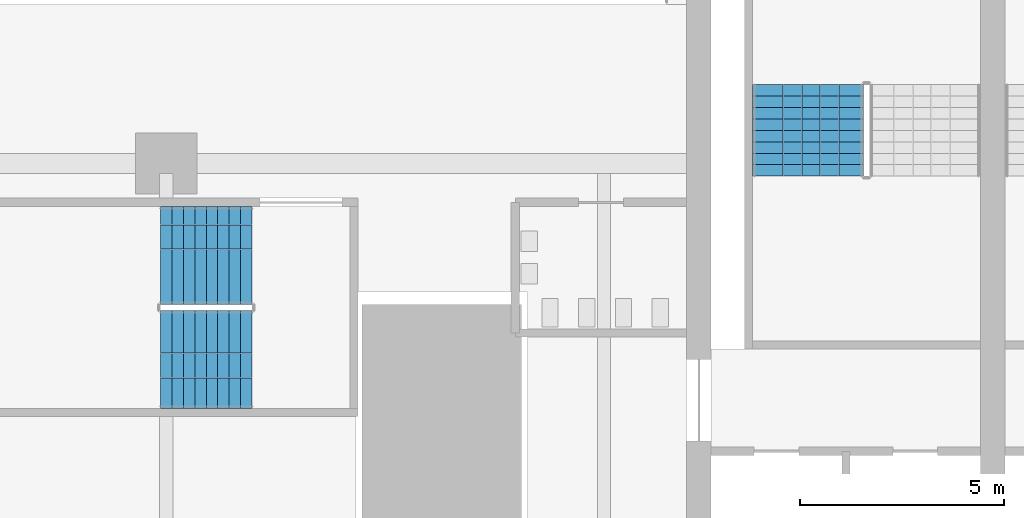
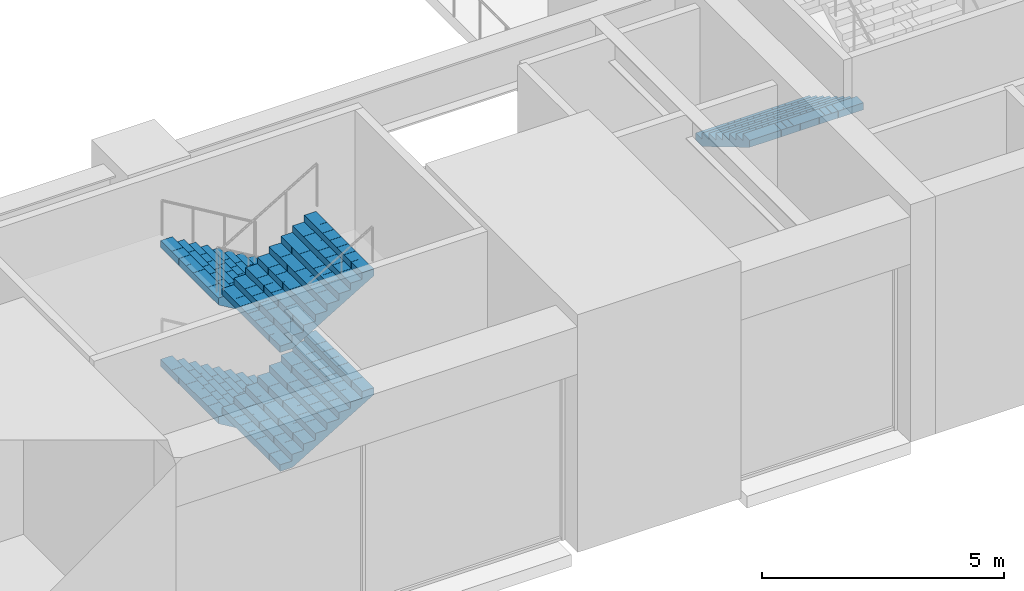
# One storey, part 23 of 41: 5 stair flights, 2 elements without a shape of their own.
"""IFC4 building model written with IfcOpenShell, lengths in metres."""

from ifc_helpers import new_model, si_unit, direction, frame, origin, place, context, subcontext, project, spatial, polyline, outline, extrude, material, type_object, element, aggregate, save


model = new_model("IFC4")

# Units and contexts
model_context = context("Model", 3, precision=1e-05, world=origin(), true_north=direction((0.0, 1.0)))
body_context = subcontext(model_context, "Body", "Model", "MODEL_VIEW")
ifc_project = project(units=[si_unit("LENGTHUNIT", "METRE"), si_unit("AREAUNIT", "SQUARE_METRE"), si_unit("VOLUMEUNIT", "CUBIC_METRE"), si_unit("PLANEANGLEUNIT", "RADIAN"), si_unit("MASSUNIT", "GRAM", prefix="KILO")], contexts=[model_context])

# Site, building, storey
site_placement = place(None, origin())
site = spatial("IfcSite", under=ifc_project, at=site_placement, CompositionType="ELEMENT")
building_placement = place(site_placement, origin())
building = spatial("IfcBuilding", under=site, at=building_placement, Name="Corbelhall Arena Tower", CompositionType="ELEMENT")
storey_placement = place(building_placement, frame((0.0, 0.0, 19.0)))
storey = spatial("IfcBuildingStorey", under=building, at=storey_placement, Name="L02", CompositionType="ELEMENT", Elevation=19.0)

# Stair, stair flights
ifc_material = material(Name="Reinforced concrete C40/50", Category="concrete")
stair_type = type_object("IfcStairType", Name="AR-EXIT-STAIR", PredefinedType="HALF_TURN_STAIR", material=ifc_material)
stair_1_placement = place(storey_placement, origin())
stair_1 = element("IfcStair", 1, at=stair_1_placement, inside=storey, type_object=stair_type, Name="L02 exit stair AS16", PredefinedType="HALF_TURN_STAIR")
stair_flight_type = type_object("IfcStairFlightType", Name="AR-EXIT-FLIGHT", PredefinedType="STRAIGHT", material=ifc_material)
stair_flight_1_placement = place(storey_placement, frame((22.35009765625, -31.5, 0.0), z_axis=(0.0, 0.0, 1.0), x_axis=(-1.0, 0.0, 0.0)))
stair_flight_1 = element("IfcStairFlight", 2, at=stair_flight_1_placement, type_object=stair_flight_type, Name="AS16 flight 1", NumberOfRisers=9, NumberOfTreads=8, PredefinedType="STRAIGHT", RiserHeight=0.166666667, TreadLength=0.28, context=body_context, shape_type="SweptSolid", body=[
    extrude(outline(polyline([(0.0, 0.0), (0.0, 0.166748046875), (0.280029296875, 0.166748046875), (0.280029296875, 0.333251953125), (0.56005859375, 0.333251953125), (0.56005859375, 0.5), (0.840087890625, 0.5), (0.840087890625, 0.666748046875), (1.1201171875, 0.666748046875), (1.1201171875, 0.833251953125), (1.39990234375, 0.833251953125), (1.39990234375, 1.0), (1.679931640625, 1.0), (1.679931640625, 1.166748046875), (1.9599609375, 1.166748046875), (1.9599609375, 1.333251953125), (2.239990234375, 1.333251953125), (2.239990234375, 1.5), (2.239990234375, 1.158935546875), (0.29296875, 0.0), (0.0, 0.0)])), frame((0.0, 1.199951171875, 0.0), z_axis=(0.0, -1.0, 0.0), x_axis=(1.0, 0.0, 0.0)), (0.0, 0.0, 1.0), 0.449951171875),
    extrude(outline(polyline([(0.0, 0.0), (0.0, 0.166748046875), (0.280029296875, 0.166748046875), (0.280029296875, 0.333251953125), (0.56005859375, 0.333251953125), (0.56005859375, 0.5), (0.840087890625, 0.5), (0.840087890625, 0.666748046875), (1.1201171875, 0.666748046875), (1.1201171875, 0.833251953125), (1.39990234375, 0.833251953125), (1.39990234375, 1.0), (1.679931640625, 1.0), (1.679931640625, 1.166748046875), (1.9599609375, 1.166748046875), (1.9599609375, 1.333251953125), (2.239990234375, 1.333251953125), (2.239990234375, 1.5), (2.239990234375, 1.158935546875), (0.29296875, 0.0), (0.0, 0.0)])), frame((0.0, 0.745849609375, 0.0), z_axis=(0.0, -1.0, 0.0), x_axis=(1.0, 0.0, 0.0)), (0.0, 0.0, 1.0), 0.295166015625),
    extrude(outline(polyline([(0.0, 0.0), (0.0, 0.166748046875), (0.280029296875, 0.166748046875), (0.280029296875, 0.333251953125), (0.56005859375, 0.333251953125), (0.56005859375, 0.5), (0.840087890625, 0.5), (0.840087890625, 0.666748046875), (1.1201171875, 0.666748046875), (1.1201171875, 0.833251953125), (1.39990234375, 0.833251953125), (1.39990234375, 1.0), (1.679931640625, 1.0), (1.679931640625, 1.166748046875), (1.9599609375, 1.166748046875), (1.9599609375, 1.333251953125), (2.239990234375, 1.333251953125), (2.239990234375, 1.5), (2.239990234375, 1.158935546875), (0.29296875, 0.0), (0.0, 0.0)])), frame((0.0, 0.44677734375, 0.0), z_axis=(0.0, -1.0, 0.0), x_axis=(1.0, 0.0, 0.0)), (0.0, 0.0, 1.0), 0.295166015625),
    extrude(outline(polyline([(0.0, 0.0), (0.0, 0.166748046875), (0.280029296875, 0.166748046875), (0.280029296875, 0.333251953125), (0.56005859375, 0.333251953125), (0.56005859375, 0.5), (0.840087890625, 0.5), (0.840087890625, 0.666748046875), (1.1201171875, 0.666748046875), (1.1201171875, 0.833251953125), (1.39990234375, 0.833251953125), (1.39990234375, 1.0), (1.679931640625, 1.0), (1.679931640625, 1.166748046875), (1.9599609375, 1.166748046875), (1.9599609375, 1.333251953125), (2.239990234375, 1.333251953125), (2.239990234375, 1.5), (2.239990234375, 1.158935546875), (0.29296875, 0.0), (0.0, 0.0)])), frame((0.0, 0.147705078125, 0.0), z_axis=(0.0, -1.0, 0.0), x_axis=(1.0, 0.0, 0.0)), (0.0, 0.0, 1.0), 0.295166015625),
    extrude(outline(polyline([(0.0, 0.0), (0.0, 0.166748046875), (0.280029296875, 0.166748046875), (0.280029296875, 0.333251953125), (0.56005859375, 0.333251953125), (0.56005859375, 0.5), (0.840087890625, 0.5), (0.840087890625, 0.666748046875), (1.1201171875, 0.666748046875), (1.1201171875, 0.833251953125), (1.39990234375, 0.833251953125), (1.39990234375, 1.0), (1.679931640625, 1.0), (1.679931640625, 1.166748046875), (1.9599609375, 1.166748046875), (1.9599609375, 1.333251953125), (2.239990234375, 1.333251953125), (2.239990234375, 1.5), (2.239990234375, 1.158935546875), (0.29296875, 0.0), (0.0, 0.0)])), frame((0.0, -0.151611328125, 0.0), z_axis=(0.0, -1.0, 0.0), x_axis=(1.0, 0.0, 0.0)), (0.0, 0.0, 1.0), 0.295166015625),
    extrude(outline(polyline([(0.0, 0.0), (0.0, 0.166748046875), (0.280029296875, 0.166748046875), (0.280029296875, 0.333251953125), (0.56005859375, 0.333251953125), (0.56005859375, 0.5), (0.840087890625, 0.5), (0.840087890625, 0.666748046875), (1.1201171875, 0.666748046875), (1.1201171875, 0.833251953125), (1.39990234375, 0.833251953125), (1.39990234375, 1.0), (1.679931640625, 1.0), (1.679931640625, 1.166748046875), (1.9599609375, 1.166748046875), (1.9599609375, 1.333251953125), (2.239990234375, 1.333251953125), (2.239990234375, 1.5), (2.239990234375, 1.158935546875), (0.29296875, 0.0), (0.0, 0.0)])), frame((0.0, -0.45068359375, 0.0), z_axis=(0.0, -1.0, 0.0), x_axis=(1.0, 0.0, 0.0)), (0.0, 0.0, 1.0), 0.295166015625),
    extrude(outline(polyline([(0.0, 0.0), (0.0, 0.166748046875), (0.280029296875, 0.166748046875), (0.280029296875, 0.333251953125), (0.56005859375, 0.333251953125), (0.56005859375, 0.5), (0.840087890625, 0.5), (0.840087890625, 0.666748046875), (1.1201171875, 0.666748046875), (1.1201171875, 0.833251953125), (1.39990234375, 0.833251953125), (1.39990234375, 1.0), (1.679931640625, 1.0), (1.679931640625, 1.166748046875), (1.9599609375, 1.166748046875), (1.9599609375, 1.333251953125), (2.239990234375, 1.333251953125), (2.239990234375, 1.5), (2.239990234375, 1.158935546875), (0.29296875, 0.0), (0.0, 0.0)])), frame((0.0, -0.75, 0.0), z_axis=(0.0, -1.0, 0.0), x_axis=(1.0, 0.0, 0.0)), (0.0, 0.0, 1.0), 0.449951171875),
])
stair_flight_2_placement = place(storey_placement, frame((20.110107421875, -34.050048828125, 1.5), z_axis=(0.0, 0.0, 1.0), x_axis=(1.0, 0.0, 0.0)))
stair_flight_2 = element("IfcStairFlight", 3, at=stair_flight_2_placement, type_object=stair_flight_type, Name="AS16 flight 2", NumberOfRisers=9, NumberOfTreads=8, PredefinedType="STRAIGHT", RiserHeight=0.166666667, TreadLength=0.28, context=body_context, shape_type="SweptSolid", body=[
    extrude(outline(polyline([(0.0, 0.0), (0.0, 0.166748046875), (0.280029296875, 0.166748046875), (0.280029296875, 0.333251953125), (0.56005859375, 0.333251953125), (0.56005859375, 0.5), (0.840087890625, 0.5), (0.840087890625, 0.666748046875), (1.1201171875, 0.666748046875), (1.1201171875, 0.833251953125), (1.39990234375, 0.833251953125), (1.39990234375, 1.0), (1.679931640625, 1.0), (1.679931640625, 1.166748046875), (1.9599609375, 1.166748046875), (1.9599609375, 1.333251953125), (2.239990234375, 1.333251953125), (2.239990234375, 1.5), (2.239990234375, 1.158935546875), (0.29296875, 0.0), (0.0, 0.0)])), frame((0.0, 1.199951171875, 0.0), z_axis=(0.0, -1.0, 0.0), x_axis=(1.0, 0.0, 0.0)), (0.0, 0.0, 1.0), 0.449951171875),
    extrude(outline(polyline([(0.0, 0.0), (0.0, 0.166748046875), (0.280029296875, 0.166748046875), (0.280029296875, 0.333251953125), (0.56005859375, 0.333251953125), (0.56005859375, 0.5), (0.840087890625, 0.5), (0.840087890625, 0.666748046875), (1.1201171875, 0.666748046875), (1.1201171875, 0.833251953125), (1.39990234375, 0.833251953125), (1.39990234375, 1.0), (1.679931640625, 1.0), (1.679931640625, 1.166748046875), (1.9599609375, 1.166748046875), (1.9599609375, 1.333251953125), (2.239990234375, 1.333251953125), (2.239990234375, 1.5), (2.239990234375, 1.158935546875), (0.29296875, 0.0), (0.0, 0.0)])), frame((0.0, 0.745849609375, 0.0), z_axis=(0.0, -1.0, 0.0), x_axis=(1.0, 0.0, 0.0)), (0.0, 0.0, 1.0), 0.295166015625),
    extrude(outline(polyline([(0.0, 0.0), (0.0, 0.166748046875), (0.280029296875, 0.166748046875), (0.280029296875, 0.333251953125), (0.56005859375, 0.333251953125), (0.56005859375, 0.5), (0.840087890625, 0.5), (0.840087890625, 0.666748046875), (1.1201171875, 0.666748046875), (1.1201171875, 0.833251953125), (1.39990234375, 0.833251953125), (1.39990234375, 1.0), (1.679931640625, 1.0), (1.679931640625, 1.166748046875), (1.9599609375, 1.166748046875), (1.9599609375, 1.333251953125), (2.239990234375, 1.333251953125), (2.239990234375, 1.5), (2.239990234375, 1.158935546875), (0.29296875, 0.0), (0.0, 0.0)])), frame((0.0, 0.44677734375, 0.0), z_axis=(0.0, -1.0, 0.0), x_axis=(1.0, 0.0, 0.0)), (0.0, 0.0, 1.0), 0.295166015625),
    extrude(outline(polyline([(0.0, 0.0), (0.0, 0.166748046875), (0.280029296875, 0.166748046875), (0.280029296875, 0.333251953125), (0.56005859375, 0.333251953125), (0.56005859375, 0.5), (0.840087890625, 0.5), (0.840087890625, 0.666748046875), (1.1201171875, 0.666748046875), (1.1201171875, 0.833251953125), (1.39990234375, 0.833251953125), (1.39990234375, 1.0), (1.679931640625, 1.0), (1.679931640625, 1.166748046875), (1.9599609375, 1.166748046875), (1.9599609375, 1.333251953125), (2.239990234375, 1.333251953125), (2.239990234375, 1.5), (2.239990234375, 1.158935546875), (0.29296875, 0.0), (0.0, 0.0)])), frame((0.0, 0.147705078125, 0.0), z_axis=(0.0, -1.0, 0.0), x_axis=(1.0, 0.0, 0.0)), (0.0, 0.0, 1.0), 0.295166015625),
    extrude(outline(polyline([(0.0, 0.0), (0.0, 0.166748046875), (0.280029296875, 0.166748046875), (0.280029296875, 0.333251953125), (0.56005859375, 0.333251953125), (0.56005859375, 0.5), (0.840087890625, 0.5), (0.840087890625, 0.666748046875), (1.1201171875, 0.666748046875), (1.1201171875, 0.833251953125), (1.39990234375, 0.833251953125), (1.39990234375, 1.0), (1.679931640625, 1.0), (1.679931640625, 1.166748046875), (1.9599609375, 1.166748046875), (1.9599609375, 1.333251953125), (2.239990234375, 1.333251953125), (2.239990234375, 1.5), (2.239990234375, 1.158935546875), (0.29296875, 0.0), (0.0, 0.0)])), frame((0.0, -0.151611328125, 0.0), z_axis=(0.0, -1.0, 0.0), x_axis=(1.0, 0.0, 0.0)), (0.0, 0.0, 1.0), 0.295166015625),
    extrude(outline(polyline([(0.0, 0.0), (0.0, 0.166748046875), (0.280029296875, 0.166748046875), (0.280029296875, 0.333251953125), (0.56005859375, 0.333251953125), (0.56005859375, 0.5), (0.840087890625, 0.5), (0.840087890625, 0.666748046875), (1.1201171875, 0.666748046875), (1.1201171875, 0.833251953125), (1.39990234375, 0.833251953125), (1.39990234375, 1.0), (1.679931640625, 1.0), (1.679931640625, 1.166748046875), (1.9599609375, 1.166748046875), (1.9599609375, 1.333251953125), (2.239990234375, 1.333251953125), (2.239990234375, 1.5), (2.239990234375, 1.158935546875), (0.29296875, 0.0), (0.0, 0.0)])), frame((0.0, -0.45068359375, 0.0), z_axis=(0.0, -1.0, 0.0), x_axis=(1.0, 0.0, 0.0)), (0.0, 0.0, 1.0), 0.295166015625),
    extrude(outline(polyline([(0.0, 0.0), (0.0, 0.166748046875), (0.280029296875, 0.166748046875), (0.280029296875, 0.333251953125), (0.56005859375, 0.333251953125), (0.56005859375, 0.5), (0.840087890625, 0.5), (0.840087890625, 0.666748046875), (1.1201171875, 0.666748046875), (1.1201171875, 0.833251953125), (1.39990234375, 0.833251953125), (1.39990234375, 1.0), (1.679931640625, 1.0), (1.679931640625, 1.166748046875), (1.9599609375, 1.166748046875), (1.9599609375, 1.333251953125), (2.239990234375, 1.333251953125), (2.239990234375, 1.5), (2.239990234375, 1.158935546875), (0.29296875, 0.0), (0.0, 0.0)])), frame((0.0, -0.75, 0.0), z_axis=(0.0, -1.0, 0.0), x_axis=(1.0, 0.0, 0.0)), (0.0, 0.0, 1.0), 0.449951171875),
])
stair_flight_3_placement = place(storey_placement, frame((22.35009765625, -31.5, 3.0), z_axis=(0.0, 0.0, 1.0), x_axis=(-1.0, 0.0, 0.0)))
stair_flight_3 = element("IfcStairFlight", 4, at=stair_flight_3_placement, type_object=stair_flight_type, Name="AS16 flight 3", NumberOfRisers=9, NumberOfTreads=8, PredefinedType="STRAIGHT", RiserHeight=0.166666667, TreadLength=0.28, context=body_context, shape_type="SweptSolid", body=[
    extrude(outline(polyline([(0.0, 0.0), (0.0, 0.166748046875), (0.280029296875, 0.166748046875), (0.280029296875, 0.333251953125), (0.56005859375, 0.333251953125), (0.56005859375, 0.5), (0.840087890625, 0.5), (0.840087890625, 0.666748046875), (1.1201171875, 0.666748046875), (1.1201171875, 0.833251953125), (1.39990234375, 0.833251953125), (1.39990234375, 1.0), (1.679931640625, 1.0), (1.679931640625, 1.166748046875), (1.9599609375, 1.166748046875), (1.9599609375, 1.333251953125), (2.239990234375, 1.333251953125), (2.239990234375, 1.5), (2.239990234375, 1.158935546875), (0.29296875, 0.0), (0.0, 0.0)])), frame((0.0, 1.199951171875, 0.0), z_axis=(0.0, -1.0, 0.0), x_axis=(1.0, 0.0, 0.0)), (0.0, 0.0, 1.0), 0.449951171875),
    extrude(outline(polyline([(0.0, 0.0), (0.0, 0.166748046875), (0.280029296875, 0.166748046875), (0.280029296875, 0.333251953125), (0.56005859375, 0.333251953125), (0.56005859375, 0.5), (0.840087890625, 0.5), (0.840087890625, 0.666748046875), (1.1201171875, 0.666748046875), (1.1201171875, 0.833251953125), (1.39990234375, 0.833251953125), (1.39990234375, 1.0), (1.679931640625, 1.0), (1.679931640625, 1.166748046875), (1.9599609375, 1.166748046875), (1.9599609375, 1.333251953125), (2.239990234375, 1.333251953125), (2.239990234375, 1.5), (2.239990234375, 1.158935546875), (0.29296875, 0.0), (0.0, 0.0)])), frame((0.0, 0.745849609375, 0.0), z_axis=(0.0, -1.0, 0.0), x_axis=(1.0, 0.0, 0.0)), (0.0, 0.0, 1.0), 0.295166015625),
    extrude(outline(polyline([(0.0, 0.0), (0.0, 0.166748046875), (0.280029296875, 0.166748046875), (0.280029296875, 0.333251953125), (0.56005859375, 0.333251953125), (0.56005859375, 0.5), (0.840087890625, 0.5), (0.840087890625, 0.666748046875), (1.1201171875, 0.666748046875), (1.1201171875, 0.833251953125), (1.39990234375, 0.833251953125), (1.39990234375, 1.0), (1.679931640625, 1.0), (1.679931640625, 1.166748046875), (1.9599609375, 1.166748046875), (1.9599609375, 1.333251953125), (2.239990234375, 1.333251953125), (2.239990234375, 1.5), (2.239990234375, 1.158935546875), (0.29296875, 0.0), (0.0, 0.0)])), frame((0.0, 0.44677734375, 0.0), z_axis=(0.0, -1.0, 0.0), x_axis=(1.0, 0.0, 0.0)), (0.0, 0.0, 1.0), 0.295166015625),
    extrude(outline(polyline([(0.0, 0.0), (0.0, 0.166748046875), (0.280029296875, 0.166748046875), (0.280029296875, 0.333251953125), (0.56005859375, 0.333251953125), (0.56005859375, 0.5), (0.840087890625, 0.5), (0.840087890625, 0.666748046875), (1.1201171875, 0.666748046875), (1.1201171875, 0.833251953125), (1.39990234375, 0.833251953125), (1.39990234375, 1.0), (1.679931640625, 1.0), (1.679931640625, 1.166748046875), (1.9599609375, 1.166748046875), (1.9599609375, 1.333251953125), (2.239990234375, 1.333251953125), (2.239990234375, 1.5), (2.239990234375, 1.158935546875), (0.29296875, 0.0), (0.0, 0.0)])), frame((0.0, 0.147705078125, 0.0), z_axis=(0.0, -1.0, 0.0), x_axis=(1.0, 0.0, 0.0)), (0.0, 0.0, 1.0), 0.295166015625),
    extrude(outline(polyline([(0.0, 0.0), (0.0, 0.166748046875), (0.280029296875, 0.166748046875), (0.280029296875, 0.333251953125), (0.56005859375, 0.333251953125), (0.56005859375, 0.5), (0.840087890625, 0.5), (0.840087890625, 0.666748046875), (1.1201171875, 0.666748046875), (1.1201171875, 0.833251953125), (1.39990234375, 0.833251953125), (1.39990234375, 1.0), (1.679931640625, 1.0), (1.679931640625, 1.166748046875), (1.9599609375, 1.166748046875), (1.9599609375, 1.333251953125), (2.239990234375, 1.333251953125), (2.239990234375, 1.5), (2.239990234375, 1.158935546875), (0.29296875, 0.0), (0.0, 0.0)])), frame((0.0, -0.151611328125, 0.0), z_axis=(0.0, -1.0, 0.0), x_axis=(1.0, 0.0, 0.0)), (0.0, 0.0, 1.0), 0.295166015625),
    extrude(outline(polyline([(0.0, 0.0), (0.0, 0.166748046875), (0.280029296875, 0.166748046875), (0.280029296875, 0.333251953125), (0.56005859375, 0.333251953125), (0.56005859375, 0.5), (0.840087890625, 0.5), (0.840087890625, 0.666748046875), (1.1201171875, 0.666748046875), (1.1201171875, 0.833251953125), (1.39990234375, 0.833251953125), (1.39990234375, 1.0), (1.679931640625, 1.0), (1.679931640625, 1.166748046875), (1.9599609375, 1.166748046875), (1.9599609375, 1.333251953125), (2.239990234375, 1.333251953125), (2.239990234375, 1.5), (2.239990234375, 1.158935546875), (0.29296875, 0.0), (0.0, 0.0)])), frame((0.0, -0.45068359375, 0.0), z_axis=(0.0, -1.0, 0.0), x_axis=(1.0, 0.0, 0.0)), (0.0, 0.0, 1.0), 0.295166015625),
    extrude(outline(polyline([(0.0, 0.0), (0.0, 0.166748046875), (0.280029296875, 0.166748046875), (0.280029296875, 0.333251953125), (0.56005859375, 0.333251953125), (0.56005859375, 0.5), (0.840087890625, 0.5), (0.840087890625, 0.666748046875), (1.1201171875, 0.666748046875), (1.1201171875, 0.833251953125), (1.39990234375, 0.833251953125), (1.39990234375, 1.0), (1.679931640625, 1.0), (1.679931640625, 1.166748046875), (1.9599609375, 1.166748046875), (1.9599609375, 1.333251953125), (2.239990234375, 1.333251953125), (2.239990234375, 1.5), (2.239990234375, 1.158935546875), (0.29296875, 0.0), (0.0, 0.0)])), frame((0.0, -0.75, 0.0), z_axis=(0.0, -1.0, 0.0), x_axis=(1.0, 0.0, 0.0)), (0.0, 0.0, 1.0), 0.449951171875),
])
stair_flight_4_placement = place(storey_placement, frame((20.110107421875, -34.050048828125, 4.5), z_axis=(0.0, 0.0, 1.0), x_axis=(1.0, 0.0, 0.0)))
stair_flight_4 = element("IfcStairFlight", 5, at=stair_flight_4_placement, type_object=stair_flight_type, Name="AS16 flight 4", NumberOfRisers=9, NumberOfTreads=8, PredefinedType="STRAIGHT", RiserHeight=0.166666667, TreadLength=0.28, context=body_context, shape_type="SweptSolid", body=[
    extrude(outline(polyline([(0.0, 0.0), (0.0, 0.166748046875), (0.280029296875, 0.166748046875), (0.280029296875, 0.333251953125), (0.56005859375, 0.333251953125), (0.56005859375, 0.5), (0.840087890625, 0.5), (0.840087890625, 0.666748046875), (1.1201171875, 0.666748046875), (1.1201171875, 0.833251953125), (1.39990234375, 0.833251953125), (1.39990234375, 1.0), (1.679931640625, 1.0), (1.679931640625, 1.166748046875), (1.9599609375, 1.166748046875), (1.9599609375, 1.333251953125), (2.239990234375, 1.333251953125), (2.239990234375, 1.5), (2.239990234375, 1.158935546875), (0.29296875, 0.0), (0.0, 0.0)])), frame((0.0, 1.199951171875, 0.0), z_axis=(0.0, -1.0, 0.0), x_axis=(1.0, 0.0, 0.0)), (0.0, 0.0, 1.0), 0.449951171875),
    extrude(outline(polyline([(0.0, 0.0), (0.0, 0.166748046875), (0.280029296875, 0.166748046875), (0.280029296875, 0.333251953125), (0.56005859375, 0.333251953125), (0.56005859375, 0.5), (0.840087890625, 0.5), (0.840087890625, 0.666748046875), (1.1201171875, 0.666748046875), (1.1201171875, 0.833251953125), (1.39990234375, 0.833251953125), (1.39990234375, 1.0), (1.679931640625, 1.0), (1.679931640625, 1.166748046875), (1.9599609375, 1.166748046875), (1.9599609375, 1.333251953125), (2.239990234375, 1.333251953125), (2.239990234375, 1.5), (2.239990234375, 1.158935546875), (0.29296875, 0.0), (0.0, 0.0)])), frame((0.0, 0.745849609375, 0.0), z_axis=(0.0, -1.0, 0.0), x_axis=(1.0, 0.0, 0.0)), (0.0, 0.0, 1.0), 0.295166015625),
    extrude(outline(polyline([(0.0, 0.0), (0.0, 0.166748046875), (0.280029296875, 0.166748046875), (0.280029296875, 0.333251953125), (0.56005859375, 0.333251953125), (0.56005859375, 0.5), (0.840087890625, 0.5), (0.840087890625, 0.666748046875), (1.1201171875, 0.666748046875), (1.1201171875, 0.833251953125), (1.39990234375, 0.833251953125), (1.39990234375, 1.0), (1.679931640625, 1.0), (1.679931640625, 1.166748046875), (1.9599609375, 1.166748046875), (1.9599609375, 1.333251953125), (2.239990234375, 1.333251953125), (2.239990234375, 1.5), (2.239990234375, 1.158935546875), (0.29296875, 0.0), (0.0, 0.0)])), frame((0.0, 0.44677734375, 0.0), z_axis=(0.0, -1.0, 0.0), x_axis=(1.0, 0.0, 0.0)), (0.0, 0.0, 1.0), 0.295166015625),
    extrude(outline(polyline([(0.0, 0.0), (0.0, 0.166748046875), (0.280029296875, 0.166748046875), (0.280029296875, 0.333251953125), (0.56005859375, 0.333251953125), (0.56005859375, 0.5), (0.840087890625, 0.5), (0.840087890625, 0.666748046875), (1.1201171875, 0.666748046875), (1.1201171875, 0.833251953125), (1.39990234375, 0.833251953125), (1.39990234375, 1.0), (1.679931640625, 1.0), (1.679931640625, 1.166748046875), (1.9599609375, 1.166748046875), (1.9599609375, 1.333251953125), (2.239990234375, 1.333251953125), (2.239990234375, 1.5), (2.239990234375, 1.158935546875), (0.29296875, 0.0), (0.0, 0.0)])), frame((0.0, 0.147705078125, 0.0), z_axis=(0.0, -1.0, 0.0), x_axis=(1.0, 0.0, 0.0)), (0.0, 0.0, 1.0), 0.295166015625),
    extrude(outline(polyline([(0.0, 0.0), (0.0, 0.166748046875), (0.280029296875, 0.166748046875), (0.280029296875, 0.333251953125), (0.56005859375, 0.333251953125), (0.56005859375, 0.5), (0.840087890625, 0.5), (0.840087890625, 0.666748046875), (1.1201171875, 0.666748046875), (1.1201171875, 0.833251953125), (1.39990234375, 0.833251953125), (1.39990234375, 1.0), (1.679931640625, 1.0), (1.679931640625, 1.166748046875), (1.9599609375, 1.166748046875), (1.9599609375, 1.333251953125), (2.239990234375, 1.333251953125), (2.239990234375, 1.5), (2.239990234375, 1.158935546875), (0.29296875, 0.0), (0.0, 0.0)])), frame((0.0, -0.151611328125, 0.0), z_axis=(0.0, -1.0, 0.0), x_axis=(1.0, 0.0, 0.0)), (0.0, 0.0, 1.0), 0.295166015625),
    extrude(outline(polyline([(0.0, 0.0), (0.0, 0.166748046875), (0.280029296875, 0.166748046875), (0.280029296875, 0.333251953125), (0.56005859375, 0.333251953125), (0.56005859375, 0.5), (0.840087890625, 0.5), (0.840087890625, 0.666748046875), (1.1201171875, 0.666748046875), (1.1201171875, 0.833251953125), (1.39990234375, 0.833251953125), (1.39990234375, 1.0), (1.679931640625, 1.0), (1.679931640625, 1.166748046875), (1.9599609375, 1.166748046875), (1.9599609375, 1.333251953125), (2.239990234375, 1.333251953125), (2.239990234375, 1.5), (2.239990234375, 1.158935546875), (0.29296875, 0.0), (0.0, 0.0)])), frame((0.0, -0.45068359375, 0.0), z_axis=(0.0, -1.0, 0.0), x_axis=(1.0, 0.0, 0.0)), (0.0, 0.0, 1.0), 0.295166015625),
    extrude(outline(polyline([(0.0, 0.0), (0.0, 0.166748046875), (0.280029296875, 0.166748046875), (0.280029296875, 0.333251953125), (0.56005859375, 0.333251953125), (0.56005859375, 0.5), (0.840087890625, 0.5), (0.840087890625, 0.666748046875), (1.1201171875, 0.666748046875), (1.1201171875, 0.833251953125), (1.39990234375, 0.833251953125), (1.39990234375, 1.0), (1.679931640625, 1.0), (1.679931640625, 1.166748046875), (1.9599609375, 1.166748046875), (1.9599609375, 1.333251953125), (2.239990234375, 1.333251953125), (2.239990234375, 1.5), (2.239990234375, 1.158935546875), (0.29296875, 0.0), (0.0, 0.0)])), frame((0.0, -0.75, 0.0), z_axis=(0.0, -1.0, 0.0), x_axis=(1.0, 0.0, 0.0)), (0.0, 0.0, 1.0), 0.449951171875),
])
aggregate(stair_1, [stair_flight_1, stair_flight_2, stair_flight_3, stair_flight_4])

# Stair, stair flight
stair_2_placement = place(storey_placement, origin())
stair_2 = element("IfcStair", 6, at=stair_2_placement, inside=storey, type_object=stair_type, Name="L02 exit stair AS5", PredefinedType="HALF_TURN_STAIR")
stair_flight_5_placement = place(storey_placement, frame((35.969970703125, -27.320068359375, 0.0), z_axis=(0.0, 0.0, 1.0), x_axis=(0.0, -1.0, 0.0)))
stair_flight_5 = element("IfcStairFlight", 7, at=stair_flight_5_placement, type_object=stair_flight_type, Name="AS5 flight 1", NumberOfRisers=9, NumberOfTreads=8, PredefinedType="STRAIGHT", RiserHeight=0.166666667, TreadLength=0.28, context=body_context, shape_type="SweptSolid", body=[
    extrude(outline(polyline([(0.0, 0.0), (0.0, 0.166748046875), (0.280029296875, 0.166748046875), (0.280029296875, 0.333251953125), (0.56005859375, 0.333251953125), (0.56005859375, 0.5), (0.840087890625, 0.5), (0.840087890625, 0.666748046875), (1.1201171875, 0.666748046875), (1.1201171875, 0.833251953125), (1.39990234375, 0.833251953125), (1.39990234375, 1.0), (1.679931640625, 1.0), (1.679931640625, 1.166748046875), (1.9599609375, 1.166748046875), (1.9599609375, 1.333251953125), (2.239990234375, 1.333251953125), (2.239990234375, 1.5), (2.239990234375, 1.158935546875), (0.29296875, 0.0), (0.0, 0.0)])), frame((0.0, 1.35986328125, 0.0), z_axis=(0.0, -1.0, 0.0), x_axis=(1.0, 0.0, 0.0)), (0.0, 0.0, 1.0), 0.449951171875),
    extrude(outline(polyline([(0.0, 0.0), (0.0, 0.166748046875), (0.280029296875, 0.166748046875), (0.280029296875, 0.333251953125), (0.56005859375, 0.333251953125), (0.56005859375, 0.5), (0.840087890625, 0.5), (0.840087890625, 0.666748046875), (1.1201171875, 0.666748046875), (1.1201171875, 0.833251953125), (1.39990234375, 0.833251953125), (1.39990234375, 1.0), (1.679931640625, 1.0), (1.679931640625, 1.166748046875), (1.9599609375, 1.166748046875), (1.9599609375, 1.333251953125), (2.239990234375, 1.333251953125), (2.239990234375, 1.5), (2.239990234375, 1.158935546875), (0.29296875, 0.0), (0.0, 0.0)])), frame((0.0, 0.906005859375, 0.0), z_axis=(0.0, -1.0, 0.0), x_axis=(1.0, 0.0, 0.0)), (0.0, 0.0, 1.0), 0.147216796875),
    extrude(outline(polyline([(0.0, 0.0), (0.0, 0.166748046875), (0.280029296875, 0.166748046875), (0.280029296875, 0.333251953125), (0.56005859375, 0.333251953125), (0.56005859375, 0.5), (0.840087890625, 0.5), (0.840087890625, 0.666748046875), (1.1201171875, 0.666748046875), (1.1201171875, 0.833251953125), (1.39990234375, 0.833251953125), (1.39990234375, 1.0), (1.679931640625, 1.0), (1.679931640625, 1.166748046875), (1.9599609375, 1.166748046875), (1.9599609375, 1.333251953125), (2.239990234375, 1.333251953125), (2.239990234375, 1.5), (2.239990234375, 1.158935546875), (0.29296875, 0.0), (0.0, 0.0)])), frame((0.0, 0.754638671875, 0.0), z_axis=(0.0, -1.0, 0.0), x_axis=(1.0, 0.0, 0.0)), (0.0, 0.0, 1.0), 0.147216796875),
    extrude(outline(polyline([(0.0, 0.0), (0.0, 0.166748046875), (0.280029296875, 0.166748046875), (0.280029296875, 0.333251953125), (0.56005859375, 0.333251953125), (0.56005859375, 0.5), (0.840087890625, 0.5), (0.840087890625, 0.666748046875), (1.1201171875, 0.666748046875), (1.1201171875, 0.833251953125), (1.39990234375, 0.833251953125), (1.39990234375, 1.0), (1.679931640625, 1.0), (1.679931640625, 1.166748046875), (1.9599609375, 1.166748046875), (1.9599609375, 1.333251953125), (2.239990234375, 1.333251953125), (2.239990234375, 1.5), (2.239990234375, 1.158935546875), (0.29296875, 0.0), (0.0, 0.0)])), frame((0.0, 0.603271484375, 0.0), z_axis=(0.0, -1.0, 0.0), x_axis=(1.0, 0.0, 0.0)), (0.0, 0.0, 1.0), 0.147216796875),
    extrude(outline(polyline([(0.0, 0.0), (0.0, 0.166748046875), (0.280029296875, 0.166748046875), (0.280029296875, 0.333251953125), (0.56005859375, 0.333251953125), (0.56005859375, 0.5), (0.840087890625, 0.5), (0.840087890625, 0.666748046875), (1.1201171875, 0.666748046875), (1.1201171875, 0.833251953125), (1.39990234375, 0.833251953125), (1.39990234375, 1.0), (1.679931640625, 1.0), (1.679931640625, 1.166748046875), (1.9599609375, 1.166748046875), (1.9599609375, 1.333251953125), (2.239990234375, 1.333251953125), (2.239990234375, 1.5), (2.239990234375, 1.158935546875), (0.29296875, 0.0), (0.0, 0.0)])), frame((0.0, 0.451904296875, 0.0), z_axis=(0.0, -1.0, 0.0), x_axis=(1.0, 0.0, 0.0)), (0.0, 0.0, 1.0), 0.147216796875),
    extrude(outline(polyline([(0.0, 0.0), (0.0, 0.166748046875), (0.280029296875, 0.166748046875), (0.280029296875, 0.333251953125), (0.56005859375, 0.333251953125), (0.56005859375, 0.5), (0.840087890625, 0.5), (0.840087890625, 0.666748046875), (1.1201171875, 0.666748046875), (1.1201171875, 0.833251953125), (1.39990234375, 0.833251953125), (1.39990234375, 1.0), (1.679931640625, 1.0), (1.679931640625, 1.166748046875), (1.9599609375, 1.166748046875), (1.9599609375, 1.333251953125), (2.239990234375, 1.333251953125), (2.239990234375, 1.5), (2.239990234375, 1.158935546875), (0.29296875, 0.0), (0.0, 0.0)])), frame((0.0, 0.30078125, 0.0), z_axis=(0.0, -1.0, 0.0), x_axis=(1.0, 0.0, 0.0)), (0.0, 0.0, 1.0), 0.147216796875),
    extrude(outline(polyline([(0.0, 0.0), (0.0, 0.166748046875), (0.280029296875, 0.166748046875), (0.280029296875, 0.333251953125), (0.56005859375, 0.333251953125), (0.56005859375, 0.5), (0.840087890625, 0.5), (0.840087890625, 0.666748046875), (1.1201171875, 0.666748046875), (1.1201171875, 0.833251953125), (1.39990234375, 0.833251953125), (1.39990234375, 1.0), (1.679931640625, 1.0), (1.679931640625, 1.166748046875), (1.9599609375, 1.166748046875), (1.9599609375, 1.333251953125), (2.239990234375, 1.333251953125), (2.239990234375, 1.5), (2.239990234375, 1.158935546875), (0.29296875, 0.0), (0.0, 0.0)])), frame((0.0, 0.1494140625, 0.0), z_axis=(0.0, -1.0, 0.0), x_axis=(1.0, 0.0, 0.0)), (0.0, 0.0, 1.0), 0.147216796875),
    extrude(outline(polyline([(0.0, 0.0), (0.0, 0.166748046875), (0.280029296875, 0.166748046875), (0.280029296875, 0.333251953125), (0.56005859375, 0.333251953125), (0.56005859375, 0.5), (0.840087890625, 0.5), (0.840087890625, 0.666748046875), (1.1201171875, 0.666748046875), (1.1201171875, 0.833251953125), (1.39990234375, 0.833251953125), (1.39990234375, 1.0), (1.679931640625, 1.0), (1.679931640625, 1.166748046875), (1.9599609375, 1.166748046875), (1.9599609375, 1.333251953125), (2.239990234375, 1.333251953125), (2.239990234375, 1.5), (2.239990234375, 1.158935546875), (0.29296875, 0.0), (0.0, 0.0)])), frame((0.0, -0.001953125, 0.0), z_axis=(0.0, -1.0, 0.0), x_axis=(1.0, 0.0, 0.0)), (0.0, 0.0, 1.0), 0.147216796875),
    extrude(outline(polyline([(0.0, 0.0), (0.0, 0.166748046875), (0.280029296875, 0.166748046875), (0.280029296875, 0.333251953125), (0.56005859375, 0.333251953125), (0.56005859375, 0.5), (0.840087890625, 0.5), (0.840087890625, 0.666748046875), (1.1201171875, 0.666748046875), (1.1201171875, 0.833251953125), (1.39990234375, 0.833251953125), (1.39990234375, 1.0), (1.679931640625, 1.0), (1.679931640625, 1.166748046875), (1.9599609375, 1.166748046875), (1.9599609375, 1.333251953125), (2.239990234375, 1.333251953125), (2.239990234375, 1.5), (2.239990234375, 1.158935546875), (0.29296875, 0.0), (0.0, 0.0)])), frame((0.0, -0.1533203125, 0.0), z_axis=(0.0, -1.0, 0.0), x_axis=(1.0, 0.0, 0.0)), (0.0, 0.0, 1.0), 0.147216796875),
    extrude(outline(polyline([(0.0, 0.0), (0.0, 0.166748046875), (0.280029296875, 0.166748046875), (0.280029296875, 0.333251953125), (0.56005859375, 0.333251953125), (0.56005859375, 0.5), (0.840087890625, 0.5), (0.840087890625, 0.666748046875), (1.1201171875, 0.666748046875), (1.1201171875, 0.833251953125), (1.39990234375, 0.833251953125), (1.39990234375, 1.0), (1.679931640625, 1.0), (1.679931640625, 1.166748046875), (1.9599609375, 1.166748046875), (1.9599609375, 1.333251953125), (2.239990234375, 1.333251953125), (2.239990234375, 1.5), (2.239990234375, 1.158935546875), (0.29296875, 0.0), (0.0, 0.0)])), frame((0.0, -0.3046875, 0.0), z_axis=(0.0, -1.0, 0.0), x_axis=(1.0, 0.0, 0.0)), (0.0, 0.0, 1.0), 0.147216796875),
    extrude(outline(polyline([(0.0, 0.0), (0.0, 0.166748046875), (0.280029296875, 0.166748046875), (0.280029296875, 0.333251953125), (0.56005859375, 0.333251953125), (0.56005859375, 0.5), (0.840087890625, 0.5), (0.840087890625, 0.666748046875), (1.1201171875, 0.666748046875), (1.1201171875, 0.833251953125), (1.39990234375, 0.833251953125), (1.39990234375, 1.0), (1.679931640625, 1.0), (1.679931640625, 1.166748046875), (1.9599609375, 1.166748046875), (1.9599609375, 1.333251953125), (2.239990234375, 1.333251953125), (2.239990234375, 1.5), (2.239990234375, 1.158935546875), (0.29296875, 0.0), (0.0, 0.0)])), frame((0.0, -0.4560546875, 0.0), z_axis=(0.0, -1.0, 0.0), x_axis=(1.0, 0.0, 0.0)), (0.0, 0.0, 1.0), 0.147216796875),
    extrude(outline(polyline([(0.0, 0.0), (0.0, 0.166748046875), (0.280029296875, 0.166748046875), (0.280029296875, 0.333251953125), (0.56005859375, 0.333251953125), (0.56005859375, 0.5), (0.840087890625, 0.5), (0.840087890625, 0.666748046875), (1.1201171875, 0.666748046875), (1.1201171875, 0.833251953125), (1.39990234375, 0.833251953125), (1.39990234375, 1.0), (1.679931640625, 1.0), (1.679931640625, 1.166748046875), (1.9599609375, 1.166748046875), (1.9599609375, 1.333251953125), (2.239990234375, 1.333251953125), (2.239990234375, 1.5), (2.239990234375, 1.158935546875), (0.29296875, 0.0), (0.0, 0.0)])), frame((0.0, -0.607421875, 0.0), z_axis=(0.0, -1.0, 0.0), x_axis=(1.0, 0.0, 0.0)), (0.0, 0.0, 1.0), 0.147216796875),
    extrude(outline(polyline([(0.0, 0.0), (0.0, 0.166748046875), (0.280029296875, 0.166748046875), (0.280029296875, 0.333251953125), (0.56005859375, 0.333251953125), (0.56005859375, 0.5), (0.840087890625, 0.5), (0.840087890625, 0.666748046875), (1.1201171875, 0.666748046875), (1.1201171875, 0.833251953125), (1.39990234375, 0.833251953125), (1.39990234375, 1.0), (1.679931640625, 1.0), (1.679931640625, 1.166748046875), (1.9599609375, 1.166748046875), (1.9599609375, 1.333251953125), (2.239990234375, 1.333251953125), (2.239990234375, 1.5), (2.239990234375, 1.158935546875), (0.29296875, 0.0), (0.0, 0.0)])), frame((0.0, -0.758544921875, 0.0), z_axis=(0.0, -1.0, 0.0), x_axis=(1.0, 0.0, 0.0)), (0.0, 0.0, 1.0), 0.147216796875),
    extrude(outline(polyline([(0.0, 0.0), (0.0, 0.166748046875), (0.280029296875, 0.166748046875), (0.280029296875, 0.333251953125), (0.56005859375, 0.333251953125), (0.56005859375, 0.5), (0.840087890625, 0.5), (0.840087890625, 0.666748046875), (1.1201171875, 0.666748046875), (1.1201171875, 0.833251953125), (1.39990234375, 0.833251953125), (1.39990234375, 1.0), (1.679931640625, 1.0), (1.679931640625, 1.166748046875), (1.9599609375, 1.166748046875), (1.9599609375, 1.333251953125), (2.239990234375, 1.333251953125), (2.239990234375, 1.5), (2.239990234375, 1.158935546875), (0.29296875, 0.0), (0.0, 0.0)])), frame((0.0, -0.909912109375, 0.0), z_axis=(0.0, -1.0, 0.0), x_axis=(1.0, 0.0, 0.0)), (0.0, 0.0, 1.0), 0.449951171875),
])
aggregate(stair_2, [stair_flight_5])

save(model, "model.ifc")
